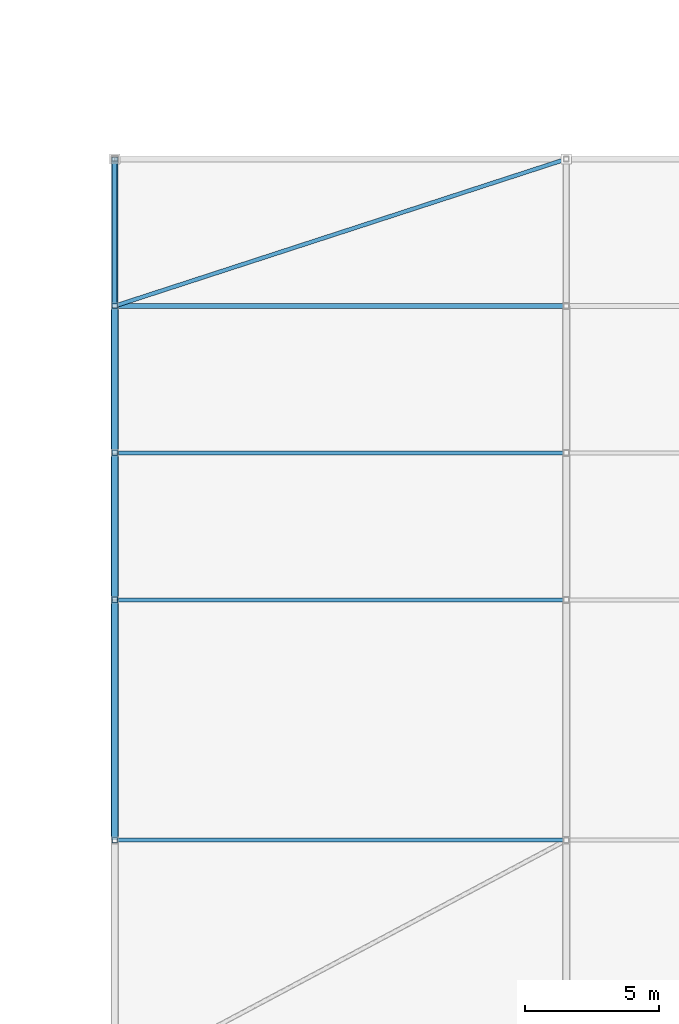
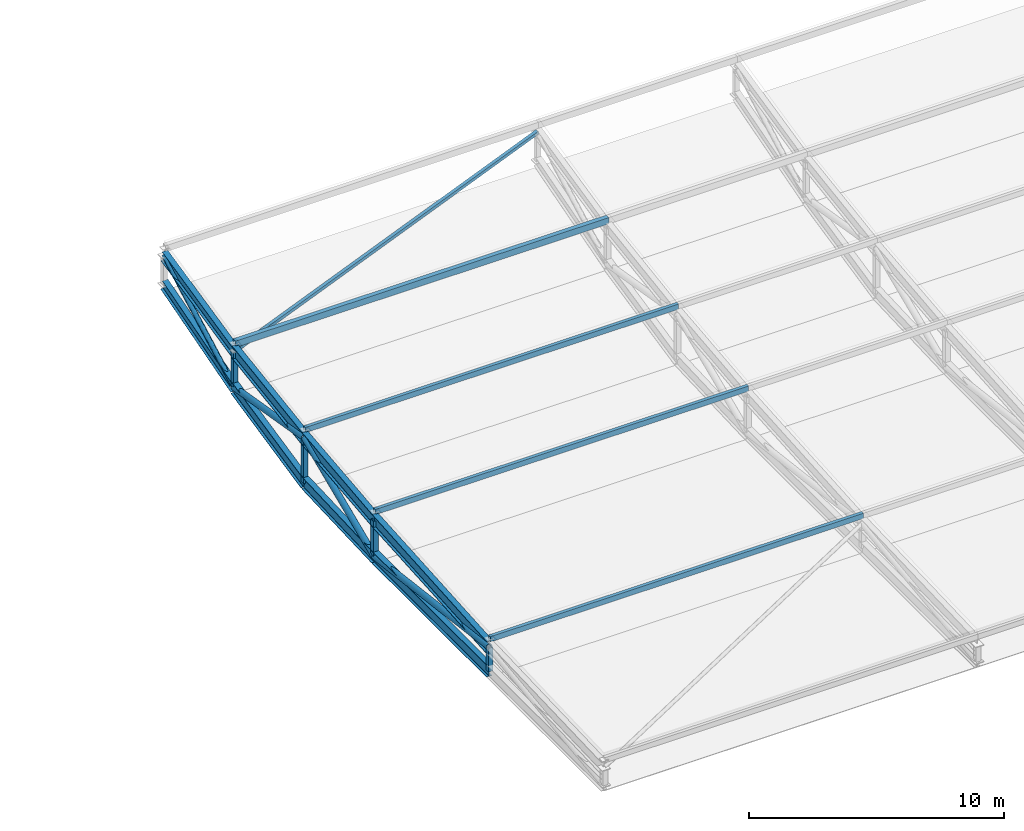
# One storey, part 6 of 114: 13 members, 8 beams.
"""IFC4 building model written with IfcOpenShell, lengths in metres."""

from ifc_helpers import new_model, si_unit, direction, frame, origin, origin_2d, place, context, subcontext, project, spatial, hollow_rectangle, hollow_circle, i_section, extrude, material, material_profile, profile_set, type_object, element, save


model = new_model("IFC4")

# Units and contexts
model_context = context("Model", 3, precision=1e-05, world=origin(), true_north=direction((0.0, 1.0)))
body_context = subcontext(model_context, "Body", "Model", "MODEL_VIEW")
ifc_project = project(units=[si_unit("LENGTHUNIT", "METRE"), si_unit("AREAUNIT", "SQUARE_METRE"), si_unit("VOLUMEUNIT", "CUBIC_METRE"), si_unit("PLANEANGLEUNIT", "RADIAN"), si_unit("MASSUNIT", "GRAM", prefix="KILO"), si_unit("THERMODYNAMICTEMPERATUREUNIT", "KELVIN"), si_unit("POWERUNIT", "WATT")], contexts=[model_context])

# Site, building, storey
site_placement = place(None, origin())
site = spatial("IfcSite", under=ifc_project, at=site_placement, CompositionType="ELEMENT")
building_placement = place(site_placement, origin())
building = spatial("IfcBuilding", under=site, at=building_placement, Name="Sindhuravela Promenade Stadium", CompositionType="ELEMENT")
storey_placement = place(building_placement, frame((0.0, 0.0, 24.0)))
storey = spatial("IfcBuildingStorey", under=building, at=storey_placement, Name="L05", CompositionType="ELEMENT", Elevation=24.0)

# Beams
ifc_material = material(Name="Steel E350 (IS 2062 E350BR)", Category="steel")
ifc_material_profile_1 = material_profile(ifc_material, i_section(OverallWidth=0.25, OverallDepth=0.5, WebThickness=0.010009765625, FlangeThickness=0.0146484375, FilletRadius=0.014892578125, at=origin_2d()), Name="ISWB 500")
ifc_profile_set_1 = profile_set([ifc_material_profile_1], Name="Steel E350 (IS 2062 E350BR)")
beam_type_1 = type_object("IfcBeamType", Name="ST-BM-WB500", PredefinedType="USERDEFINED", material=ifc_profile_set_1)
beam_1_placement = place(storey_placement, frame((55.10009765625, 38.0, 3.169189453125), z_axis=(0.0, 0.9758669805330386, 0.2183658313595103), x_axis=(-1.0, 0.0, 0.0)))
element("IfcBeam", 1, at=beam_1_placement, inside=storey, type_object=beam_type_1, Name="Roof truss RT-S01 top chord 5", ObjectType="ROOF TRUSS", PredefinedType="USERDEFINED", context=body_context, shape_type="SweptSolid", body=[
    extrude(i_section(OverallWidth=0.25, OverallDepth=0.5, WebThickness=0.010009765625, FlangeThickness=0.0146484375, FilletRadius=0.014892578125, at=origin_2d()), origin(), (0.0, 0.0, 1.0), 5.635986328125),
])
beam_2_placement = place(storey_placement, frame((55.10009765625, 38.0, 1.419189453125), z_axis=(0.0, 0.9599274278129861, 0.28024869907342015), x_axis=(-1.0, 0.0, 0.0)))
element("IfcBeam", 2, at=beam_2_placement, inside=storey, type_object=beam_type_1, Name="Roof truss RT-S01 bottom chord 5", ObjectType="ROOF TRUSS", PredefinedType="USERDEFINED", context=body_context, shape_type="SweptSolid", body=[
    extrude(i_section(OverallWidth=0.25, OverallDepth=0.5, WebThickness=0.010009765625, FlangeThickness=0.0146484375, FilletRadius=0.014892578125, at=origin_2d()), origin(), (0.0, 0.0, 1.0), 5.7294921875),
])
ifc_material_profile_2 = material_profile(ifc_material, i_section(OverallWidth=0.25, OverallDepth=0.60009765625, WebThickness=0.01171875, FlangeThickness=0.023681640625, FilletRadius=0.01708984375, at=origin_2d()), Name="ISWB 600")
ifc_profile_set_2 = profile_set([ifc_material_profile_2], Name="Steel E350 (IS 2062 E350BR)")
beam_type_2 = type_object("IfcBeamType", Name="ST-BM-WB600", PredefinedType="USERDEFINED", material=ifc_profile_set_2)
beam_3_placement = place(storey_placement, frame((55.10009765625, 18.0, 1.127197265625), z_axis=(0.0, 0.9975125305940163, 0.07048937017679613), x_axis=(-1.0, 0.0, 0.0)))
element("IfcBeam", 3, at=beam_3_placement, inside=storey, type_object=beam_type_2, Name="Roof truss RT-S01 top chord 2", ObjectType="ROOF TRUSS", PredefinedType="USERDEFINED", context=body_context, shape_type="SweptSolid", body=[
    extrude(i_section(OverallWidth=0.25, OverallDepth=0.60009765625, WebThickness=0.01171875, FlangeThickness=0.023681640625, FilletRadius=0.01708984375, at=origin_2d()), origin(), (0.0, 0.0, 1.0), 9.0224609375),
])
beam_4_placement = place(storey_placement, frame((55.10009765625, 18.0, 0.0), z_axis=(0.0, 1.0, 0.0), x_axis=(-1.0, 0.0, 0.0)))
element("IfcBeam", 4, at=beam_4_placement, inside=storey, type_object=beam_type_2, Name="Roof truss RT-S01 bottom chord 2", ObjectType="ROOF TRUSS", PredefinedType="USERDEFINED", context=body_context, shape_type="SweptSolid", body=[
    extrude(i_section(OverallWidth=0.25, OverallDepth=0.60009765625, WebThickness=0.01171875, FlangeThickness=0.023681640625, FilletRadius=0.01708984375, at=origin_2d()), origin(), (0.0, 0.0, 1.0), 9.0),
])
beam_5_placement = place(storey_placement, frame((55.10009765625, 27.0, 1.76318359375), z_axis=(0.0, 0.9943078180575428, 0.1065455909441987), x_axis=(-1.0, 0.0, 0.0)))
element("IfcBeam", 5, at=beam_5_placement, inside=storey, type_object=beam_type_2, Name="Roof truss RT-S01 top chord 3", ObjectType="ROOF TRUSS", PredefinedType="USERDEFINED", context=body_context, shape_type="SweptSolid", body=[
    extrude(i_section(OverallWidth=0.25, OverallDepth=0.60009765625, WebThickness=0.01171875, FlangeThickness=0.023681640625, FilletRadius=0.01708984375, at=origin_2d()), origin(), (0.0, 0.0, 1.0), 5.531494140625),
])
beam_6_placement = place(storey_placement, frame((55.10009765625, 27.0, 0.0), z_axis=(0.0, 0.9991453279387894, 0.04133538022189949), x_axis=(-1.0, 0.0, 0.0)))
element("IfcBeam", 6, at=beam_6_placement, inside=storey, type_object=beam_type_2, Name="Roof truss RT-S01 bottom chord 3", ObjectType="ROOF TRUSS", PredefinedType="USERDEFINED", context=body_context, shape_type="SweptSolid", body=[
    extrude(i_section(OverallWidth=0.25, OverallDepth=0.60009765625, WebThickness=0.01171875, FlangeThickness=0.023681640625, FilletRadius=0.01708984375, at=origin_2d()), origin(), (0.0, 0.0, 1.0), 5.504638671875),
])
beam_7_placement = place(storey_placement, frame((55.10009765625, 32.5, 2.3525390625), z_axis=(0.0, 0.9891555530237203, 0.14687168523012892), x_axis=(-1.0, 0.0, 0.0)))
element("IfcBeam", 7, at=beam_7_placement, inside=storey, type_object=beam_type_2, Name="Roof truss RT-S01 top chord 4", ObjectType="ROOF TRUSS", PredefinedType="USERDEFINED", context=body_context, shape_type="SweptSolid", body=[
    extrude(i_section(OverallWidth=0.25, OverallDepth=0.60009765625, WebThickness=0.01171875, FlangeThickness=0.023681640625, FilletRadius=0.01708984375, at=origin_2d()), origin(), (0.0, 0.0, 1.0), 5.560302734375),
])
beam_8_placement = place(storey_placement, frame((55.10009765625, 32.5, 0.2275390625), z_axis=(0.0, 0.9773237385626684, 0.21175058451368894), x_axis=(-1.0, 0.0, 0.0)))
element("IfcBeam", 8, at=beam_8_placement, inside=storey, type_object=beam_type_2, Name="Roof truss RT-S01 bottom chord 4", ObjectType="ROOF TRUSS", PredefinedType="USERDEFINED", context=body_context, shape_type="SweptSolid", body=[
    extrude(i_section(OverallWidth=0.25, OverallDepth=0.60009765625, WebThickness=0.01171875, FlangeThickness=0.023681640625, FilletRadius=0.01708984375, at=origin_2d()), origin(), (0.0, 0.0, 1.0), 5.627685546875),
])

# Members
ifc_material_profile_3 = material_profile(ifc_material, hollow_circle(Radius=0.109619140625, WallThickness=0.010009765625, at=origin_2d()), Name="CHS 219.1x10")
ifc_profile_set_3 = profile_set([ifc_material_profile_3], Name="Steel E350 (IS 2062 E350BR)")
member_type_1 = type_object("IfcMemberType", Name="ST-MB-CHS219", PredefinedType="BRACE", material=ifc_profile_set_3)
member_1_placement = place(storey_placement, frame((55.10009765625, 38.0, 1.419189453125), z_axis=(0.0, 0.8791884339384995, 0.47647423605979855), x_axis=(-1.0, 0.0, 0.0)))
element("IfcMember", 9, at=member_1_placement, inside=storey, type_object=member_type_1, Name="Roof truss RT-S01 diagonal web 5", PredefinedType="BRACE", context=body_context, shape_type="SweptSolid", body=[
    extrude(hollow_circle(Radius=0.109619140625, WallThickness=0.010009765625, at=origin_2d()), origin(), (0.0, 0.0, 1.0), 6.255859375),
])
ifc_material_profile_4 = material_profile(ifc_material, hollow_circle(Radius=0.136474609375, WallThickness=0.010009765625, at=origin_2d()), Name="CHS 273.0x10")
ifc_profile_set_4 = profile_set([ifc_material_profile_4], Name="Steel E350 (IS 2062 E350BR)")
member_type_2 = type_object("IfcMemberType", Name="ST-MB-CHS273", PredefinedType="BRACE", material=ifc_profile_set_4)
member_2_placement = place(storey_placement, frame((55.10009765625, 18.0, 1.127197265625), z_axis=(0.0, 0.9922480329009012, -0.12427325216752011), x_axis=(-1.0, 0.0, 0.0)))
element("IfcMember", 10, at=member_2_placement, inside=storey, type_object=member_type_2, Name="Roof truss RT-S01 diagonal web 2", PredefinedType="BRACE", context=body_context, shape_type="SweptSolid", body=[
    extrude(hollow_circle(Radius=0.136474609375, WallThickness=0.010009765625, at=origin_2d()), origin(), (0.0, 0.0, 1.0), 9.0703125),
])
member_3_placement = place(storey_placement, frame((55.10009765625, 27.0, 0.0), z_axis=(0.0, 0.9194234507496676, 0.3932690150667524), x_axis=(-1.0, 0.0, 0.0)))
element("IfcMember", 11, at=member_3_placement, inside=storey, type_object=member_type_2, Name="Roof truss RT-S01 diagonal web 3", PredefinedType="BRACE", context=body_context, shape_type="SweptSolid", body=[
    extrude(hollow_circle(Radius=0.136474609375, WallThickness=0.010009765625, at=origin_2d()), origin(), (0.0, 0.0, 1.0), 5.98193359375),
])
member_4_placement = place(storey_placement, frame((55.10009765625, 32.5, 2.3525390625), z_axis=(0.0, 0.9859046851385784, -0.1673079550463772), x_axis=(-1.0, 0.0, 0.0)))
element("IfcMember", 12, at=member_4_placement, inside=storey, type_object=member_type_2, Name="Roof truss RT-S01 diagonal web 4", PredefinedType="BRACE", context=body_context, shape_type="SweptSolid", body=[
    extrude(hollow_circle(Radius=0.136474609375, WallThickness=0.010009765625, at=origin_2d()), origin(), (0.0, 0.0, 1.0), 5.57861328125),
])
ifc_material_profile_5 = material_profile(ifc_material, hollow_rectangle(XDim=0.14990234375, YDim=0.25, WallThickness=0.010009765625, at=origin_2d()), Name="RHS 250x150x10")
ifc_profile_set_5 = profile_set([ifc_material_profile_5], Name="Steel E350 (IS 2062 E350BR)")
member_type_3 = type_object("IfcMemberType", Name="ST-MB-RHS250", PredefinedType="PURLIN", material=ifc_profile_set_5)
for number, where, z_axis, x_axis, name in (
    (13, (55.10009765625, 18.0, 1.51904296875), (1.0, 0.0, 0.0), (0.0, 1.0, 0.0), "Roof purlin PR01 S bay 1.2"),
    (14, (55.10009765625, 27.0, 2.1552734375), (1.0, 0.0, 0.0), (0.0, 1.0, 0.0), "Roof purlin PR01 S bay 1.3"),
    (15, (55.10009765625, 32.5, 2.744384765625), (1.0, 0.0, 0.0), (0.0, 1.0, 0.0), "Roof purlin PR01 S bay 1.4"),
):
    element("IfcMember", number, at=place(storey_placement, frame(where, z_axis=z_axis, x_axis=x_axis)), inside=storey, type_object=member_type_3, Name=name, PredefinedType="PURLIN", context=body_context, shape_type="SweptSolid", body=[
        extrude(hollow_rectangle(XDim=0.14990234375, YDim=0.25, WallThickness=0.010009765625, at=origin_2d()), origin(), (0.0, 0.0, 1.0), 16.89990234375),
    ])
ifc_material_profile_6 = material_profile(ifc_material, hollow_rectangle(XDim=0.199951171875, YDim=0.300048828125, WallThickness=0.010009765625, at=origin_2d()), Name="RHS 300x200x10")
ifc_profile_set_6 = profile_set([ifc_material_profile_6], Name="Steel E350 (IS 2062 E350BR)")
member_type_4 = type_object("IfcMemberType", Name="ST-MB-RHS300", PredefinedType="PURLIN", material=ifc_profile_set_6)
member_5_placement = place(storey_placement, frame((55.10009765625, 38.0, 3.5361328125), z_axis=(1.0, 0.0, 0.0), x_axis=(0.0, 1.0, 0.0)))
element("IfcMember", 16, at=member_5_placement, inside=storey, type_object=member_type_4, Name="Roof purlin PR02 S bay 1.5", PredefinedType="PURLIN", context=body_context, shape_type="SweptSolid", body=[
    extrude(hollow_rectangle(XDim=0.199951171875, YDim=0.300048828125, WallThickness=0.010009765625, at=origin_2d()), origin(), (0.0, 0.0, 1.0), 16.89990234375),
])
ifc_material_profile_7 = material_profile(ifc_material, hollow_rectangle(XDim=0.14990234375, YDim=0.14990234375, WallThickness=0.008056640625, at=origin_2d()), Name="SHS 150x150x8")
ifc_profile_set_7 = profile_set([ifc_material_profile_7], Name="Steel E350 (IS 2062 E350BR)")
member_type_5 = type_object("IfcMemberType", Name="ST-MB-SHS150", PredefinedType="BRACE", material=ifc_profile_set_7)
member_6_placement = place(storey_placement, frame((55.10009765625, 38.0, 3.169189453125), z_axis=(0.9486375974241422, 0.3087299961684302, 0.06908327018310799), x_axis=(-0.30946935032671946, 0.9509094179827846, 0.0)))
element("IfcMember", 17, at=member_6_placement, inside=storey, type_object=member_type_5, Name="Roof wind brace MB01 S bay 1", PredefinedType="BRACE", context=body_context, shape_type="SweptSolid", body=[
    extrude(hollow_rectangle(XDim=0.14990234375, YDim=0.14990234375, WallThickness=0.008056640625, at=origin_2d()), origin(), (0.0, 0.0, 1.0), 17.81494140625),
])
ifc_material_profile_8 = material_profile(ifc_material, hollow_rectangle(XDim=0.199951171875, YDim=0.199951171875, WallThickness=0.010009765625, at=origin_2d()), Name="SHS 200x200x10")
ifc_profile_set_8 = profile_set([ifc_material_profile_8], Name="Steel E350 (IS 2062 E350BR)")
member_type_6 = type_object("IfcMemberType", Name="ST-MB-SHS200", PredefinedType="POST", material=ifc_profile_set_8)
member_7_placement = place(storey_placement, frame((55.10009765625, 18.0, 0.0), z_axis=(0.0, 0.0, 1.0), x_axis=(1.0, 0.0, 0.0)))
element("IfcMember", 18, at=member_7_placement, inside=storey, type_object=member_type_6, Name="Roof truss RT-S01 vertical post 2", PredefinedType="POST", context=body_context, shape_type="SweptSolid", body=[
    extrude(hollow_rectangle(XDim=0.199951171875, YDim=0.199951171875, WallThickness=0.010009765625, at=origin_2d()), origin(), (0.0, 0.0, 1.0), 1.127197265625),
])
member_8_placement = place(storey_placement, frame((55.10009765625, 32.5, 0.2275390625), z_axis=(0.0, 0.0, 1.0), x_axis=(1.0, 0.0, 0.0)))
element("IfcMember", 19, at=member_8_placement, inside=storey, type_object=member_type_6, Name="Roof truss RT-S01 vertical post 4", PredefinedType="POST", context=body_context, shape_type="SweptSolid", body=[
    extrude(hollow_rectangle(XDim=0.199951171875, YDim=0.199951171875, WallThickness=0.010009765625, at=origin_2d()), origin(), (0.0, 0.0, 1.0), 2.125),
])
member_9_placement = place(storey_placement, frame((55.10009765625, 38.0, 1.419189453125), z_axis=(0.0, 0.0, 1.0), x_axis=(1.0, 0.0, 0.0)))
element("IfcMember", 20, at=member_9_placement, inside=storey, type_object=member_type_6, Name="Roof truss RT-S01 vertical post 5", PredefinedType="POST", context=body_context, shape_type="SweptSolid", body=[
    extrude(hollow_rectangle(XDim=0.199951171875, YDim=0.199951171875, WallThickness=0.010009765625, at=origin_2d()), origin(), (0.0, 0.0, 1.0), 1.75),
])
ifc_material_profile_9 = material_profile(ifc_material, hollow_rectangle(XDim=0.219970703125, YDim=0.219970703125, WallThickness=0.011962890625, at=origin_2d()), Name="SHS 220x220x12")
ifc_profile_set_9 = profile_set([ifc_material_profile_9], Name="Steel E350 (IS 2062 E350BR)")
member_type_7 = type_object("IfcMemberType", Name="ST-MB-SHS220", PredefinedType="POST", material=ifc_profile_set_9)
member_10_placement = place(storey_placement, frame((55.10009765625, 27.0, 0.0), z_axis=(0.0, 0.0, 1.0), x_axis=(1.0, 0.0, 0.0)))
element("IfcMember", 21, at=member_10_placement, inside=storey, type_object=member_type_7, Name="Roof truss RT-S01 vertical post 3", PredefinedType="POST", context=body_context, shape_type="SweptSolid", body=[
    extrude(hollow_rectangle(XDim=0.219970703125, YDim=0.219970703125, WallThickness=0.011962890625, at=origin_2d()), origin(), (0.0, 0.0, 1.0), 1.76318359375),
])

save(model, "model.ifc")
